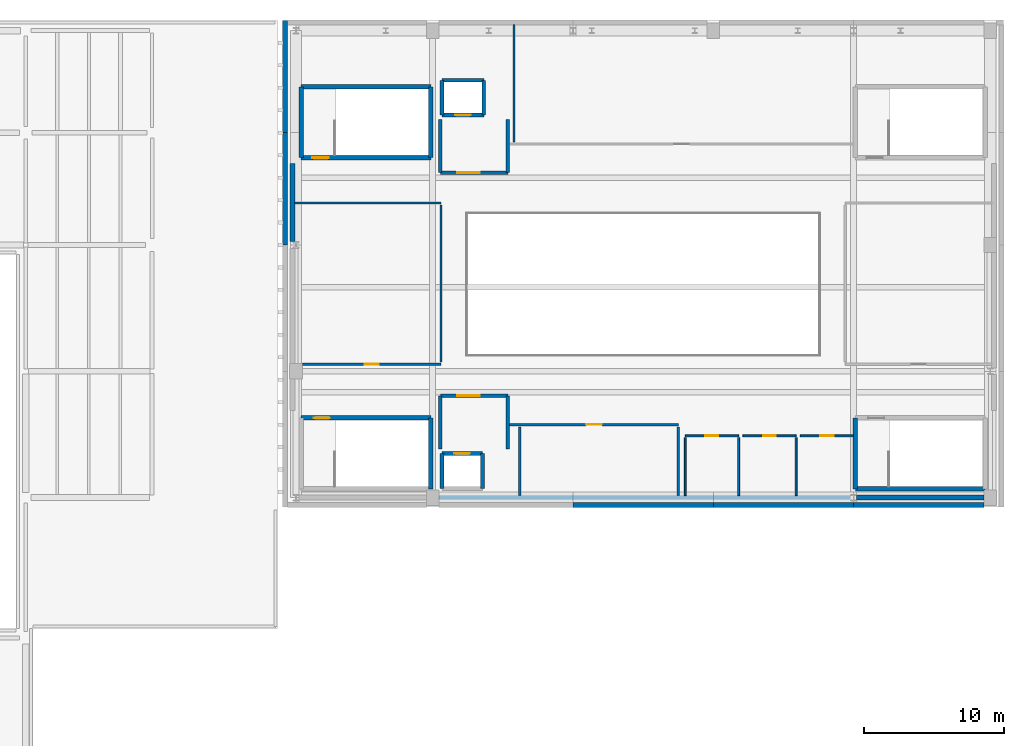
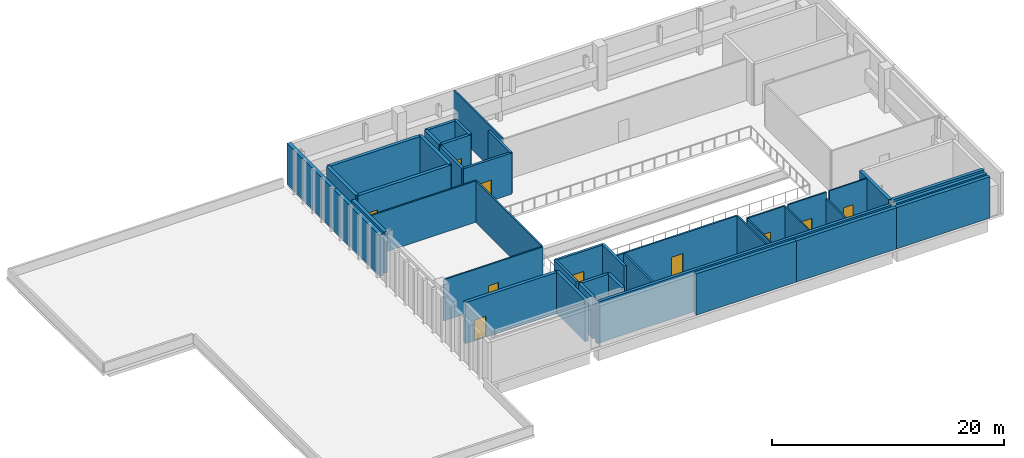
# One storey, part 6 of 8: 42 walls, 11 doors, 11 openings.
"""IFC4 building model written with IfcOpenShell, lengths in metres."""

from ifc_helpers import new_model, si_unit, direction, frame, frame_2d, origin, place, context, subcontext, project, spatial, rectangle, extrude, material, layer, layer_set, type_object, element, fill, save


model = new_model("IFC4")

# Units and contexts
model_context = context("Model", 3, precision=1e-05, world=origin(), true_north=direction((0.0, 1.0)))
body_context = subcontext(model_context, "Body", "Model", "MODEL_VIEW")
ifc_project = project(units=[si_unit("LENGTHUNIT", "METRE"), si_unit("AREAUNIT", "SQUARE_METRE"), si_unit("VOLUMEUNIT", "CUBIC_METRE"), si_unit("PLANEANGLEUNIT", "RADIAN"), si_unit("MASSUNIT", "GRAM", prefix="KILO")], contexts=[model_context])

# Site, building, storey
site_placement = place(None, origin())
site = spatial("IfcSite", under=ifc_project, at=site_placement, CompositionType="ELEMENT")
building_placement = place(site_placement, origin())
building = spatial("IfcBuilding", under=site, at=building_placement, Name="Trimount Lyric Opera House", CompositionType="ELEMENT")
storey_placement = place(building_placement, frame((0.0, 0.0, 29.60009765625)))
storey = spatial("IfcBuildingStorey", under=building, at=storey_placement, Name="L06", CompositionType="ELEMENT", Elevation=29.60009765625)

# Wall, opening, door
ifc_material_1 = material(Name="Moisture-Resistant Gypsum Board")
ifc_layer_1 = layer(ifc_material_1, 0.135009765625)
ifc_layer_set_1 = layer_set([ifc_layer_1], Name="WL-PT135")
wall_type_1 = type_object("IfcWallType", Name="WL-PT135", PredefinedType="PARTITIONING", material=ifc_layer_set_1)
wall_1_placement = place(storey_placement, frame((95.800048828125, 88.39990234375, 0.0), z_axis=(0.0, 0.0, 1.0), x_axis=(-1.0, 0.0, 0.0)))
wall_1 = element("IfcWall", 1, at=wall_1_placement, inside=storey, type_object=wall_type_1, Name="L06 L06 Male Restroom N partition", PredefinedType="PARTITIONING", context=body_context, shape_type="SweptSolid", body=[
    extrude(rectangle(XDim=3.800048828125, YDim=0.135009765625, at=frame_2d((1.89990234375, 0.0))), origin(), (0.0, 0.0, 1.0), 4.349853515625),
])
opening_1_placement = place(wall_1_placement, frame((1.43994140625, 0.0, 0.0)))
opening_1 = element("IfcOpeningElement", 2, at=opening_1_placement, cuts=wall_1, Name="Opening DT-WC1", PredefinedType="OPENING", context=body_context, shape_type="SweptSolid", body=[
    extrude(rectangle(XDim=0.919921875, YDim=2.10009765625, at=frame_2d((0.4599609375, 1.050048828125))), frame((0.0, 0.07763671875, 0.0), z_axis=(0.0, -1.0, 0.0), x_axis=(1.0, 0.0, 0.0)), (0.0, 0.0, 1.0), 0.155029296875),
])
ifc_material_2 = material(Name="Moisture-Resistant Solid-Core Laminate")
door_type_1 = type_object("IfcDoorType", Name="DT-WC1", OperationType="NOTDEFINED", PredefinedType="DOOR", material=ifc_material_2)
door_1_placement = place(opening_1_placement, origin())
door_1 = element("IfcDoor", 3, at=door_1_placement, inside=storey, type_object=door_type_1, Name="D-258", OperationType="SINGLE_SWING_RIGHT", OverallHeight=2.10009765625, OverallWidth=0.919921875, PredefinedType="DOOR", context=body_context, shape_type="SweptSolid", body=[
    extrude(rectangle(XDim=0.919921875, YDim=2.10009765625, at=frame_2d((0.4599609375, 1.050048828125))), frame((0.0, 0.02490234375, 0.0), z_axis=(0.0, -1.0, 0.0), x_axis=(1.0, 0.0, 0.0)), (0.0, 0.0, 1.0), 0.050048828125),
])
fill(opening_1, door_1)

# Walls
wall_2_placement = place(storey_placement, frame((92.0, 88.264892578125, 0.0), z_axis=(0.0, 0.0, 1.0), x_axis=(0.0, -1.0, 0.0)))
element("IfcWall", 4, at=wall_2_placement, inside=storey, type_object=wall_type_1, Name="L06 L06 Male Restroom W partition", PredefinedType="PARTITIONING", context=body_context, shape_type="SweptSolid", body=[
    extrude(rectangle(XDim=4.125, YDim=0.135009765625, at=frame_2d((2.0625, 0.0))), origin(), (0.0, 0.0, 1.0), 4.3798828125),
])
wall_3_placement = place(storey_placement, frame((95.800048828125, 84.139892578125, 0.0), z_axis=(0.0, 0.0, 1.0), x_axis=(0.0, 1.0, 0.0)))
element("IfcWall", 5, at=wall_3_placement, inside=storey, type_object=wall_type_1, Name="L06 L06 Male Restroom E partition", PredefinedType="PARTITIONING", context=body_context, shape_type="SweptSolid", body=[
    extrude(rectangle(XDim=4.125, YDim=0.135009765625, at=frame_2d((2.0625, 0.0))), origin(), (0.0, 0.0, 1.0), 4.349853515625),
])

# Wall, opening, door
wall_4_placement = place(storey_placement, frame((99.89990234375, 88.39990234375, 0.0), z_axis=(0.0, 0.0, 1.0), x_axis=(-1.0, 0.0, 0.0)))
wall_4 = element("IfcWall", 6, at=wall_4_placement, inside=storey, type_object=wall_type_1, Name="L06 L06 Female Restroom N partition", PredefinedType="PARTITIONING", context=body_context, shape_type="SweptSolid", body=[
    extrude(rectangle(XDim=3.7998046875, YDim=0.135009765625, at=frame_2d((1.89990234375, 0.0))), origin(), (0.0, 0.0, 1.0), 4.349853515625),
])
opening_2_placement = place(wall_4_placement, frame((1.43994140625, 0.0, 0.0)))
opening_2 = element("IfcOpeningElement", 7, at=opening_2_placement, cuts=wall_4, Name="Opening DT-WC1", PredefinedType="OPENING", context=body_context, shape_type="SweptSolid", body=[
    extrude(rectangle(XDim=0.919921875, YDim=2.10009765625, at=frame_2d((0.4599609375, 1.050048828125))), frame((0.0, 0.07763671875, 0.0), z_axis=(0.0, -1.0, 0.0), x_axis=(1.0, 0.0, 0.0)), (0.0, 0.0, 1.0), 0.155029296875),
])
door_2_placement = place(opening_2_placement, origin())
door_2 = element("IfcDoor", 8, at=door_2_placement, inside=storey, type_object=door_type_1, Name="D-259", OperationType="SINGLE_SWING_LEFT", OverallHeight=2.10009765625, OverallWidth=0.919921875, PredefinedType="DOOR", context=body_context, shape_type="SweptSolid", body=[
    extrude(rectangle(XDim=0.919921875, YDim=2.10009765625, at=frame_2d((0.4599609375, 1.050048828125))), frame((0.0, 0.02490234375, 0.0), z_axis=(0.0, -1.0, 0.0), x_axis=(1.0, 0.0, 0.0)), (0.0, 0.0, 1.0), 0.050048828125),
])
fill(opening_2, door_2)

# Wall
wall_5_placement = place(storey_placement, frame((99.89990234375, 84.139892578125, 0.0), z_axis=(0.0, 0.0, 1.0), x_axis=(0.0, 1.0, 0.0)))
element("IfcWall", 9, at=wall_5_placement, inside=storey, type_object=wall_type_1, Name="L06 L06 Female Restroom E partition", PredefinedType="PARTITIONING", context=body_context, shape_type="SweptSolid", body=[
    extrude(rectangle(XDim=4.125, YDim=0.135009765625, at=frame_2d((2.0625, 0.0))), origin(), (0.0, 0.0, 1.0), 3.722900390625),
])

# Wall, opening, door
wall_6_placement = place(storey_placement, frame((103.985107421875, 88.39990234375, 0.0), z_axis=(0.0, 0.0, 1.0), x_axis=(-1.0, 0.0, 0.0)))
wall_6 = element("IfcWall", 10, at=wall_6_placement, inside=storey, type_object=wall_type_1, Name="L06 L06 Accessible WC N partition", PredefinedType="PARTITIONING", context=body_context, shape_type="SweptSolid", body=[
    extrude(rectangle(XDim=3.78515625, YDim=0.135009765625, at=frame_2d((1.892578125, 0.0))), origin(), (0.0, 0.0, 1.0), 4.3798828125),
])
opening_3_placement = place(wall_6_placement, frame((1.402587890625, 0.0, 0.0)))
opening_3 = element("IfcOpeningElement", 11, at=opening_3_placement, cuts=wall_6, Name="Opening DT-WC2", PredefinedType="OPENING", context=body_context, shape_type="SweptSolid", body=[
    extrude(rectangle(XDim=0.97998046875, YDim=2.10009765625, at=frame_2d((0.489990234375, 1.050048828125))), frame((0.0, 0.07763671875, 0.0), z_axis=(0.0, -1.0, 0.0), x_axis=(1.0, 0.0, 0.0)), (0.0, 0.0, 1.0), 0.155029296875),
])
ifc_material_3 = material(Name="Moisture-Resistant Solid-Core Laminate")
door_type_2 = type_object("IfcDoorType", Name="DT-WC2", OperationType="NOTDEFINED", PredefinedType="DOOR", material=ifc_material_3)
door_3_placement = place(opening_3_placement, origin())
door_3 = element("IfcDoor", 12, at=door_3_placement, inside=storey, type_object=door_type_2, Name="D-260", OperationType="SINGLE_SWING_RIGHT", OverallHeight=2.10009765625, OverallWidth=0.97998046875, PredefinedType="DOOR", context=body_context, shape_type="SweptSolid", body=[
    extrude(rectangle(XDim=0.97998046875, YDim=2.10009765625, at=frame_2d((0.489990234375, 1.050048828125))), frame((0.0, 0.02490234375, 0.0), z_axis=(0.0, -1.0, 0.0), x_axis=(1.0, 0.0, 0.0)), (0.0, 0.0, 1.0), 0.050048828125),
])
fill(opening_3, door_3)

ifc_material_4 = material(Name="Fire-Rated Gypsum Board Partition")
ifc_layer_2 = layer(ifc_material_4, 0.14990234375)
ifc_layer_set_2 = layer_set([ifc_layer_2], Name="WL-PT150")
wall_type_2 = type_object("IfcWallType", Name="WL-PT150", PredefinedType="PARTITIONING", material=ifc_layer_set_2)
wall_7_placement = place(storey_placement, frame((64.7099609375, 93.5, 0.0), z_axis=(0.0, 0.0, 1.0), x_axis=(1.0, 0.0, 0.0)))
wall_7 = element("IfcWall", 13, at=wall_7_placement, inside=storey, type_object=wall_type_2, Name="L06 Walkable Stage Gridiron West S partition", PredefinedType="PARTITIONING", context=body_context, shape_type="SweptSolid", body=[
    extrude(rectangle(XDim=9.89013671875, YDim=0.14990234375, at=frame_2d((4.945068359375, 0.0))), origin(), (0.0, 0.0, 1.0), 4.349853515625),
])
opening_4_placement = place(wall_7_placement, frame((4.445068359375, 0.0, 0.0)))
opening_4 = element("IfcOpeningElement", 14, at=opening_4_placement, cuts=wall_7, Name="Opening DT-RM1", PredefinedType="OPENING", context=body_context, shape_type="SweptSolid", body=[
    extrude(rectangle(XDim=1.0, YDim=2.14990234375, at=frame_2d((0.5, 1.074951171875))), frame((0.0, 0.0849609375, 0.0), z_axis=(0.0, -1.0, 0.0), x_axis=(1.0, 0.0, 0.0)), (0.0, 0.0, 1.0), 0.169921875),
])
ifc_material_5 = material(Name="Solid Core White Oak")
door_type_3 = type_object("IfcDoorType", Name="DT-RM1", OperationType="NOTDEFINED", PredefinedType="DOOR", material=ifc_material_5)
door_4_placement = place(opening_4_placement, origin())
door_4 = element("IfcDoor", 15, at=door_4_placement, inside=storey, type_object=door_type_3, Name="D-254", OperationType="SINGLE_SWING_RIGHT", OverallHeight=2.14990234375, OverallWidth=1.0, PredefinedType="DOOR", context=body_context, shape_type="SweptSolid", body=[
    extrude(rectangle(XDim=1.0, YDim=2.14990234375, at=frame_2d((0.5, 1.074951171875))), frame((0.0, 0.02490234375, 0.0), z_axis=(0.0, -1.0, 0.0), x_axis=(1.0, 0.0, 0.0)), (0.0, 0.0, 1.0), 0.050048828125),
])
fill(opening_4, door_4)

# Walls
wall_8_placement = place(storey_placement, frame((74.60009765625, 105.0, 0.0), z_axis=(0.0, 0.0, 1.0), x_axis=(-1.0, 0.0, 0.0)))
element("IfcWall", 16, at=wall_8_placement, inside=storey, type_object=wall_type_2, Name="L06 Walkable Stage Gridiron West N partition", PredefinedType="PARTITIONING", context=body_context, shape_type="SweptSolid", body=[
    extrude(rectangle(XDim=10.460205078125, YDim=0.14990234375, at=frame_2d((5.22998046875, 0.0))), origin(), (0.0, 0.0, 1.0), 4.349853515625),
])
wall_9_placement = place(storey_placement, frame((74.60009765625, 93.64990234375, 0.0), z_axis=(0.0, 0.0, 1.0), x_axis=(0.0, 1.0, 0.0)))
element("IfcWall", 17, at=wall_9_placement, inside=storey, type_object=wall_type_2, Name="L06 Walkable Stage Gridiron West E partition", PredefinedType="PARTITIONING", context=body_context, shape_type="SweptSolid", body=[
    extrude(rectangle(XDim=11.2001953125, YDim=0.14990234375, at=frame_2d((5.60009765625, 0.0))), origin(), (0.0, 0.0, 1.0), 4.3798828125),
])
wall_10_placement = place(storey_placement, frame((79.800048828125, 117.719970703125, 0.0), z_axis=(0.0, 0.0, 1.0), x_axis=(0.0, -1.0, 0.0)))
element("IfcWall", 18, at=wall_10_placement, inside=storey, type_object=wall_type_2, Name="L06 Rigging Crew & Cue Control Room W partition", PredefinedType="PARTITIONING", context=body_context, shape_type="SweptSolid", body=[
    extrude(rectangle(XDim=8.369873046875, YDim=0.14990234375, at=frame_2d((4.18505859375, 0.0))), origin(), (0.0, 0.0, 1.0), 4.349853515625),
])

# Wall, opening, door
ifc_material_6 = material(Name="Acoustic Double-Stud Gypsum Board")
ifc_layer_3 = layer(ifc_material_6, 0.1650390625)
ifc_layer_set_3 = layer_set([ifc_layer_3], Name="WL-PT165")
wall_type_3 = type_object("IfcWallType", Name="WL-PT165", PredefinedType="PARTITIONING", material=ifc_layer_set_3)
wall_11_placement = place(storey_placement, frame((91.5, 89.199951171875, 0.0), z_axis=(0.0, 0.0, 1.0), x_axis=(-1.0, 0.0, 0.0)))
wall_11 = element("IfcWall", 19, at=wall_11_placement, inside=storey, type_object=wall_type_3, Name="L06 Fly-Tower Acoustic Smoke Plenum N partition", PredefinedType="PARTITIONING", context=body_context, shape_type="SweptSolid", body=[
    extrude(rectangle(XDim=12.010009765625, YDim=0.1650390625, at=frame_2d((6.0048828125, 0.0))), origin(), (0.0, 0.0, 1.0), 4.349853515625),
])
opening_5_placement = place(wall_11_placement, frame((5.445068359375, 0.0, 0.0)))
opening_5 = element("IfcOpeningElement", 20, at=opening_5_placement, cuts=wall_11, Name="Opening DT-AC2", PredefinedType="OPENING", context=body_context, shape_type="SweptSolid", body=[
    extrude(rectangle(XDim=1.1201171875, YDim=2.25, at=frame_2d((0.56005859375, 1.125))), frame((0.0, 0.092529296875, 0.0), z_axis=(0.0, -1.0, 0.0), x_axis=(1.0, 0.0, 0.0)), (0.0, 0.0, 1.0), 0.18505859375),
])
ifc_material_7 = material(Name="Acoustic Steel-Core Timber", Category="steel")
door_type_4 = type_object("IfcDoorType", Name="DT-AC2", OperationType="NOTDEFINED", PredefinedType="DOOR", material=ifc_material_7)
door_5_placement = place(opening_5_placement, origin())
door_5 = element("IfcDoor", 21, at=door_5_placement, inside=storey, type_object=door_type_4, Name="D-257", OperationType="SINGLE_SWING_LEFT", OverallHeight=2.25, OverallWidth=1.1201171875, PredefinedType="DOOR", context=body_context, shape_type="SweptSolid", body=[
    extrude(rectangle(XDim=1.1201171875, YDim=2.25, at=frame_2d((0.56005859375, 1.125))), frame((0.0, 0.02490234375, 0.0), z_axis=(0.0, -1.0, 0.0), x_axis=(1.0, 0.0, 0.0)), (0.0, 0.0, 1.0), 0.050048828125),
])
fill(opening_5, door_5)

# Walls
wall_12_placement = place(storey_placement, frame((80.199951171875, 89.034912109375, 0.0), z_axis=(0.0, 0.0, 1.0), x_axis=(0.0, -1.0, 0.0)))
element("IfcWall", 22, at=wall_12_placement, inside=storey, type_object=wall_type_3, Name="L06 Fly-Tower Acoustic Smoke Plenum W partition", PredefinedType="PARTITIONING", context=body_context, shape_type="SweptSolid", body=[
    extrude(rectangle(XDim=4.89501953125, YDim=0.1650390625, at=frame_2d((2.447509765625, 0.0))), origin(), (0.0, 0.0, 1.0), 4.349853515625),
])
wall_13_placement = place(storey_placement, frame((91.5, 84.139892578125, 0.0), z_axis=(0.0, 0.0, 1.0), x_axis=(0.0, 1.0, 0.0)))
element("IfcWall", 23, at=wall_13_placement, inside=storey, type_object=wall_type_3, Name="L06 Fly-Tower Acoustic Smoke Plenum E partition", PredefinedType="PARTITIONING", context=body_context, shape_type="SweptSolid", body=[
    extrude(rectangle(XDim=4.89501953125, YDim=0.1650390625, at=frame_2d((2.447509765625, 0.0))), origin(), (0.0, 0.0, 1.0), 4.3798828125),
])

# Wall, opening, door
ifc_material_8 = material(Name="Concrete C40/50", Category="concrete")
ifc_layer_4 = layer(ifc_material_8, 0.280029296875)
ifc_layer_set_4 = layer_set([ifc_layer_4], Name="WL-SH280")
wall_type_4 = type_object("IfcWallType", Name="WL-SH280", PredefinedType="SHEAR", material=ifc_layer_set_4)
wall_14_placement = place(storey_placement, frame((77.5400390625, 87.139892578125, 0.0), z_axis=(0.0, 0.0, 1.0), x_axis=(-1.0, 0.0, 0.0)))
wall_14 = element("IfcWall", 24, at=wall_14_placement, inside=storey, type_object=wall_type_4, Name="Lift LF-01 L06 north shaft wall", PredefinedType="SHEAR", context=body_context, shape_type="SweptSolid", body=[
    extrude(rectangle(XDim=2.880126953125, YDim=0.280029296875, at=frame_2d((1.43994140625, 0.0))), origin(), (0.0, 0.0, 1.0), 4.3798828125),
])
opening_6_placement = place(wall_14_placement, frame((0.889892578125, 0.0, 0.0)))
opening_6 = element("IfcOpeningElement", 25, at=opening_6_placement, cuts=wall_14, Name="Opening DT-LD1", PredefinedType="OPENING", context=body_context, shape_type="SweptSolid", body=[
    extrude(rectangle(XDim=1.10009765625, YDim=2.199951171875, at=frame_2d((0.550048828125, 1.10009765625))), frame((0.0, 0.14990234375, 0.0), z_axis=(0.0, -1.0, 0.0), x_axis=(1.0, 0.0, 0.0)), (0.0, 0.0, 1.0), 0.300048828125),
])
ifc_material_9 = material(Name="Brushed Stainless Steel", Category="steel")
door_type_5 = type_object("IfcDoorType", Name="DT-LD1", OperationType="SLIDING_TO_LEFT", PredefinedType="DOOR", material=ifc_material_9)
door_6_placement = place(opening_6_placement, origin())
door_6 = element("IfcDoor", 26, at=door_6_placement, inside=storey, type_object=door_type_5, Name="D-071", OperationType="SLIDING_TO_LEFT", OverallHeight=2.199951171875, OverallWidth=1.10009765625, PredefinedType="DOOR", context=body_context, shape_type="SweptSolid", body=[
    extrude(rectangle(XDim=1.10009765625, YDim=2.199951171875, at=frame_2d((0.550048828125, 1.10009765625))), frame((0.0, 0.02490234375, 0.0), z_axis=(0.0, -1.0, 0.0), x_axis=(1.0, 0.0, 0.0)), (0.0, 0.0, 1.0), 0.050048828125),
])
fill(opening_6, door_6)

# Walls
for number, where, z_axis, x_axis, name in (
    (27, (74.659912109375, 87.139892578125, 0.0), (0.0, 0.0, 1.0), (0.0, -1.0, 0.0), "Lift LF-01 L06 west shaft wall"),
    (28, (77.5400390625, 84.659912109375, 0.0), (0.0, 0.0, 1.0), (0.0, 1.0, 0.0), "Lift LF-01 L06 east shaft wall"),
):
    element("IfcWall", number, at=place(storey_placement, frame(where, z_axis=z_axis, x_axis=x_axis)), inside=storey, type_object=wall_type_4, Name=name, PredefinedType="SHEAR", context=body_context, shape_type="SweptSolid", body=[
        extrude(rectangle(XDim=2.47998046875, YDim=0.280029296875, at=frame_2d((1.239990234375, 0.0))), origin(), (0.0, 0.0, 1.0), 4.3798828125),
    ])

# Wall, opening, door
wall_15_placement = place(storey_placement, frame((74.659912109375, 111.260009765625, 0.0), z_axis=(0.0, 0.0, 1.0), x_axis=(1.0, 0.0, 0.0)))
wall_15 = element("IfcWall", 29, at=wall_15_placement, inside=storey, type_object=wall_type_4, Name="Lift LF-05 L06 south shaft wall", PredefinedType="SHEAR", context=body_context, shape_type="SweptSolid", body=[
    extrude(rectangle(XDim=2.97998046875, YDim=0.280029296875, at=frame_2d((1.489990234375, 0.0))), origin(), (0.0, 0.0, 1.0), 4.3798828125),
])
opening_7_placement = place(wall_15_placement, frame((0.93994140625, 0.0, 0.0)))
opening_7 = element("IfcOpeningElement", 30, at=opening_7_placement, cuts=wall_15, Name="Opening DT-LD1", PredefinedType="OPENING", context=body_context, shape_type="SweptSolid", body=[
    extrude(rectangle(XDim=1.10009765625, YDim=2.199951171875, at=frame_2d((0.550048828125, 1.10009765625))), frame((0.0, 0.14990234375, 0.0), z_axis=(0.0, -1.0, 0.0), x_axis=(1.0, 0.0, 0.0)), (0.0, 0.0, 1.0), 0.300048828125),
])
door_7_placement = place(opening_7_placement, origin())
door_7 = element("IfcDoor", 31, at=door_7_placement, inside=storey, type_object=door_type_5, Name="D-105", OperationType="SLIDING_TO_LEFT", OverallHeight=2.199951171875, OverallWidth=1.10009765625, PredefinedType="DOOR", context=body_context, shape_type="SweptSolid", body=[
    extrude(rectangle(XDim=1.10009765625, YDim=2.199951171875, at=frame_2d((0.550048828125, 1.10009765625))), frame((0.0, 0.02490234375, 0.0), z_axis=(0.0, -1.0, 0.0), x_axis=(1.0, 0.0, 0.0)), (0.0, 0.0, 1.0), 0.050048828125),
])
fill(opening_7, door_7)

# Walls
wall_16_placement = place(storey_placement, frame((77.639892578125, 113.739990234375, 0.0), z_axis=(0.0, 0.0, 1.0), x_axis=(-1.0, 0.0, 0.0)))
element("IfcWall", 32, at=wall_16_placement, inside=storey, type_object=wall_type_4, Name="Lift LF-05 L06 north shaft wall", PredefinedType="SHEAR", context=body_context, shape_type="SweptSolid", body=[
    extrude(rectangle(XDim=2.97998046875, YDim=0.280029296875, at=frame_2d((1.489990234375, 0.0))), origin(), (0.0, 0.0, 1.0), 4.3798828125),
])
for number, where, z_axis, x_axis, name in (
    (33, (74.659912109375, 113.739990234375, 0.0), (0.0, 0.0, 1.0), (0.0, -1.0, 0.0), "Lift LF-05 L06 west shaft wall"),
    (34, (77.639892578125, 111.260009765625, 0.0), (0.0, 0.0, 1.0), (0.0, 1.0, 0.0), "Lift LF-05 L06 east shaft wall"),
):
    element("IfcWall", number, at=place(storey_placement, frame(where, z_axis=z_axis, x_axis=x_axis)), inside=storey, type_object=wall_type_4, Name=name, PredefinedType="SHEAR", context=body_context, shape_type="SweptSolid", body=[
        extrude(rectangle(XDim=2.47998046875, YDim=0.280029296875, at=frame_2d((1.239990234375, 0.0))), origin(), (0.0, 0.0, 1.0), 4.3798828125),
    ])
ifc_material_10 = material(Name="Concrete C40/50", Category="concrete")
ifc_layer_5 = layer(ifc_material_10, 0.300048828125)
ifc_layer_set_5 = layer_set([ifc_layer_5], Name="WL-SH300")
wall_type_5 = type_object("IfcWallType", Name="WL-SH300", PredefinedType="SHEAR", material=ifc_layer_set_5)
wall_17_placement = place(storey_placement, frame((74.449951171875, 84.0, 0.0), z_axis=(0.0, 0.0, 1.0), x_axis=(1.0, 0.0, 0.0)))
element("IfcWall", 35, at=wall_17_placement, inside=storey, type_object=wall_type_5, Name="L06 proscenium upper fly-tower wall", PredefinedType="SHEAR", context=body_context, shape_type="SweptSolid", body=[
    extrude(rectangle(XDim=29.339111328125, YDim=0.300048828125, at=frame_2d((14.66943359375, 0.0))), origin(), (0.0, 0.0, 1.0), 4.349853515625),
])

# Wall, opening, door
ifc_material_11 = material(Name="Concrete C40/50", Category="concrete")
ifc_layer_6 = layer(ifc_material_11, 0.320068359375)
ifc_layer_set_6 = layer_set([ifc_layer_6], Name="WL-SH320")
wall_type_6 = type_object("IfcWallType", Name="WL-SH320", PredefinedType="SHEAR", material=ifc_layer_set_6)
wall_18_placement = place(storey_placement, frame((64.625, 108.22509765625, 0.0), z_axis=(0.0, 0.0, 1.0), x_axis=(1.0, 0.0, 0.0)))
wall_18 = element("IfcWall", 36, at=wall_18_placement, inside=storey, type_object=wall_type_6, Name="K1 L06 south shaft wall", PredefinedType="SHEAR", context=body_context, shape_type="SweptSolid", body=[
    extrude(rectangle(XDim=9.25, YDim=0.320068359375, at=frame_2d((4.625, 0.0))), origin(), (0.0, 0.0, 1.0), 4.349853515625),
])
opening_8_placement = place(wall_18_placement, frame((0.800048828125, 0.0, 0.0)))
opening_8 = element("IfcOpeningElement", 37, at=opening_8_placement, cuts=wall_18, Name="Opening DT-ST1", PredefinedType="OPENING", context=body_context, shape_type="SweptSolid", body=[
    extrude(rectangle(XDim=1.14990234375, YDim=2.199951171875, at=frame_2d((0.574951171875, 1.10009765625))), frame((0.0, 0.169921875, 0.0), z_axis=(0.0, -1.0, 0.0), x_axis=(1.0, 0.0, 0.0)), (0.0, 0.0, 1.0), 0.340087890625),
])
ifc_material_12 = material(Name="Fire-Rated Hollow Steel", Category="steel")
door_type_6 = type_object("IfcDoorType", Name="DT-ST1", OperationType="NOTDEFINED", PredefinedType="DOOR", material=ifc_material_12)
door_8_placement = place(opening_8_placement, origin())
door_8 = element("IfcDoor", 38, at=door_8_placement, inside=storey, type_object=door_type_6, Name="D-014", OperationType="SINGLE_SWING_RIGHT", OverallHeight=2.199951171875, OverallWidth=1.14990234375, PredefinedType="DOOR", context=body_context, shape_type="SweptSolid", body=[
    extrude(rectangle(XDim=1.14990234375, YDim=2.199951171875, at=frame_2d((0.574951171875, 1.10009765625))), frame((0.0, 0.02490234375, 0.0), z_axis=(0.0, -1.0, 0.0), x_axis=(1.0, 0.0, 0.0)), (0.0, 0.0, 1.0), 0.050048828125),
])
fill(opening_8, door_8)

# Walls
wall_19_placement = place(storey_placement, frame((73.875, 113.27490234375, 0.0), z_axis=(0.0, 0.0, 1.0), x_axis=(-1.0, 0.0, 0.0)))
element("IfcWall", 39, at=wall_19_placement, inside=storey, type_object=wall_type_6, Name="K1 L06 north shaft wall", PredefinedType="SHEAR", context=body_context, shape_type="SweptSolid", body=[
    extrude(rectangle(XDim=9.25, YDim=0.320068359375, at=frame_2d((4.625, 0.0))), origin(), (0.0, 0.0, 1.0), 4.349853515625),
])
wall_20_placement = place(storey_placement, frame((64.625, 113.27490234375, 0.0), z_axis=(0.0, 0.0, 1.0), x_axis=(0.0, -1.0, 0.0)))
element("IfcWall", 40, at=wall_20_placement, inside=storey, type_object=wall_type_6, Name="K1 L06 west shaft wall", PredefinedType="SHEAR", context=body_context, shape_type="SweptSolid", body=[
    extrude(rectangle(XDim=5.0498046875, YDim=0.320068359375, at=frame_2d((2.52490234375, 0.0))), origin(), (0.0, 0.0, 1.0), 4.349853515625),
])
wall_21_placement = place(storey_placement, frame((73.875, 108.22509765625, 0.0), z_axis=(0.0, 0.0, 1.0), x_axis=(0.0, 1.0, 0.0)))
element("IfcWall", 41, at=wall_21_placement, inside=storey, type_object=wall_type_6, Name="K1 L06 east shaft wall", PredefinedType="SHEAR", context=body_context, shape_type="SweptSolid", body=[
    extrude(rectangle(XDim=5.0498046875, YDim=0.320068359375, at=frame_2d((2.52490234375, 0.0))), origin(), (0.0, 0.0, 1.0), 4.3798828125),
])

# Wall, opening, door
wall_22_placement = place(storey_placement, frame((73.875, 89.675048828125, 0.0), z_axis=(0.0, 0.0, 1.0), x_axis=(-1.0, 0.0, 0.0)))
wall_22 = element("IfcWall", 42, at=wall_22_placement, inside=storey, type_object=wall_type_6, Name="K3 L06 north shaft wall", PredefinedType="SHEAR", context=body_context, shape_type="SweptSolid", body=[
    extrude(rectangle(XDim=9.25, YDim=0.320068359375, at=frame_2d((4.625, 0.0))), origin(), (0.0, 0.0, 1.0), 4.349853515625),
])
opening_9_placement = place(wall_22_placement, frame((7.199951171875, 0.0, 0.0)))
opening_9 = element("IfcOpeningElement", 43, at=opening_9_placement, cuts=wall_22, Name="Opening DT-ST1", PredefinedType="OPENING", context=body_context, shape_type="SweptSolid", body=[
    extrude(rectangle(XDim=1.14990234375, YDim=2.199951171875, at=frame_2d((0.574951171875, 1.10009765625))), frame((0.0, 0.169921875, 0.0), z_axis=(0.0, -1.0, 0.0), x_axis=(1.0, 0.0, 0.0)), (0.0, 0.0, 1.0), 0.340087890625),
])
door_9_placement = place(opening_9_placement, origin())
door_9 = element("IfcDoor", 44, at=door_9_placement, inside=storey, type_object=door_type_6, Name="D-030", OperationType="SINGLE_SWING_RIGHT", OverallHeight=2.199951171875, OverallWidth=1.14990234375, PredefinedType="DOOR", context=body_context, shape_type="SweptSolid", body=[
    extrude(rectangle(XDim=1.14990234375, YDim=2.199951171875, at=frame_2d((0.574951171875, 1.10009765625))), frame((0.0, 0.02490234375, 0.0), z_axis=(0.0, -1.0, 0.0), x_axis=(1.0, 0.0, 0.0)), (0.0, 0.0, 1.0), 0.050048828125),
])
fill(opening_9, door_9)

# Walls
wall_23_placement = place(storey_placement, frame((73.875, 84.625, 0.0), z_axis=(0.0, 0.0, 1.0), x_axis=(0.0, 1.0, 0.0)))
element("IfcWall", 45, at=wall_23_placement, inside=storey, type_object=wall_type_6, Name="K3 L06 east shaft wall", PredefinedType="SHEAR", context=body_context, shape_type="SweptSolid", body=[
    extrude(rectangle(XDim=5.050048828125, YDim=0.320068359375, at=frame_2d((2.52490234375, 0.0))), origin(), (0.0, 0.0, 1.0), 4.3798828125),
])
wall_24_placement = place(storey_placement, frame((104.125, 84.625, 0.0), z_axis=(0.0, 0.0, 1.0), x_axis=(1.0, 0.0, 0.0)))
element("IfcWall", 46, at=wall_24_placement, inside=storey, type_object=wall_type_6, Name="K4 L06 south shaft wall", PredefinedType="SHEAR", context=body_context, shape_type="SweptSolid", body=[
    extrude(rectangle(XDim=9.25, YDim=0.320068359375, at=frame_2d((4.625, 0.0))), origin(), (0.0, 0.0, 1.0), 4.349853515625),
])
wall_25_placement = place(storey_placement, frame((104.125, 89.675048828125, 0.0), z_axis=(0.0, 0.0, 1.0), x_axis=(0.0, -1.0, 0.0)))
element("IfcWall", 47, at=wall_25_placement, inside=storey, type_object=wall_type_6, Name="K4 L06 west shaft wall", PredefinedType="SHEAR", context=body_context, shape_type="SweptSolid", body=[
    extrude(rectangle(XDim=5.050048828125, YDim=0.320068359375, at=frame_2d((2.52490234375, 0.0))), origin(), (0.0, 0.0, 1.0), 4.3798828125),
])
ifc_material_13 = material(Name="Concrete C40/50", Category="concrete")
ifc_layer_7 = layer(ifc_material_13, 0.35009765625)
ifc_layer_set_7 = layer_set([ifc_layer_7], Name="WL-SH350")
wall_type_7 = type_object("IfcWallType", Name="WL-SH350", PredefinedType="SHEAR", material=ifc_layer_set_7)
wall_26_placement = place(storey_placement, frame((64.0, 102.232421875, 0.0), z_axis=(0.0, 0.0, 1.0), x_axis=(0.0, 1.0, 0.0)))
element("IfcWall", 48, at=wall_26_placement, inside=storey, type_object=wall_type_7, Name="L06 fly-tower west shear wall", PredefinedType="SHEAR", context=body_context, shape_type="SweptSolid", body=[
    extrude(rectangle(XDim=5.567626953125, YDim=0.35009765625, at=frame_2d((2.78369140625, 0.0))), origin(), (0.0, 0.0, 1.0), 4.349853515625),
])
wall_27_placement = place(storey_placement, frame((104.2109375, 84.0, 0.0), z_axis=(0.0, 0.0, 1.0), x_axis=(1.0, 0.0, 0.0)))
element("IfcWall", 49, at=wall_27_placement, inside=storey, type_object=wall_type_7, Name="L06 proscenium east wing wall", PredefinedType="SHEAR", context=body_context, shape_type="SweptSolid", body=[
    extrude(rectangle(XDim=9.0791015625, YDim=0.35009765625, at=frame_2d((4.53955078125, 0.0))), origin(), (0.0, 0.0, 1.0), 4.349853515625),
])
for number, where, z_axis, x_axis, name in (
    (50, (63.4599609375, 102.0, 0.0), (0.0, 0.0, 1.0), (0.0, 1.0, 0.0), "L06 exterior facade wall 357"),
    (51, (63.4599609375, 110.0, 0.0), (0.0, 0.0, 1.0), (0.0, 1.0, 0.0), "L06 exterior facade wall 358"),
):
    element("IfcWall", number, at=place(storey_placement, frame(where, z_axis=z_axis, x_axis=x_axis)), inside=storey, type_object=wall_type_7, Name=name, PredefinedType="SHEAR", context=body_context, shape_type="SweptSolid", body=[
        extrude(rectangle(XDim=8.0, YDim=0.35009765625, at=frame_2d((4.0, 0.0))), origin(), (0.0, 0.0, 1.0), 4.349853515625),
    ])
wall_28_placement = place(storey_placement, frame((113.2900390625, 83.4599609375, 0.0), z_axis=(0.0, 0.0, 1.0), x_axis=(-1.0, 0.0, 0.0)))
element("IfcWall", 52, at=wall_28_placement, inside=storey, type_object=wall_type_7, Name="L06 exterior facade wall 368", PredefinedType="SHEAR", context=body_context, shape_type="SweptSolid", body=[
    extrude(rectangle(XDim=9.2900390625, YDim=0.35009765625, at=frame_2d((4.64501953125, 0.0))), origin(), (0.0, 0.0, 1.0), 4.349853515625),
])
for number, where, z_axis, x_axis, name in (
    (53, (104.0, 83.4599609375, 0.0), (0.0, 0.0, 1.0), (-1.0, 0.0, 0.0), "L06 exterior facade wall 369"),
    (54, (94.0, 83.4599609375, 0.0), (0.0, 0.0, 1.0), (-1.0, 0.0, 0.0), "L06 exterior facade wall 370"),
):
    element("IfcWall", number, at=place(storey_placement, frame(where, z_axis=z_axis, x_axis=x_axis)), inside=storey, type_object=wall_type_7, Name=name, PredefinedType="SHEAR", context=body_context, shape_type="SweptSolid", body=[
        extrude(rectangle(XDim=10.0, YDim=0.35009765625, at=frame_2d((5.0, 0.0))), origin(), (0.0, 0.0, 1.0), 4.349853515625),
    ])

# Wall, opening, door
ifc_material_14 = material(Name="Concrete C35/45", Category="concrete")
ifc_layer_8 = layer(ifc_material_14, 0.239990234375)
ifc_layer_set_8 = layer_set([ifc_layer_8], Name="WL-SW240")
wall_type_8 = type_object("IfcWallType", Name="WL-SW240", PredefinedType="SOLIDWALL", material=ifc_layer_set_8)
wall_29_placement = place(storey_placement, frame((74.550048828125, 91.25, 0.0), z_axis=(0.0, 0.0, 1.0), x_axis=(1.0, 0.0, 0.0)))
wall_29 = element("IfcWall", 55, at=wall_29_placement, inside=storey, type_object=wall_type_8, Name="L06 firefighting lobby LF-01 entry wall", PredefinedType="SOLIDWALL", context=body_context, shape_type="SweptSolid", body=[
    extrude(rectangle(XDim=4.800048828125, YDim=0.239990234375, at=frame_2d((2.39990234375, 0.0))), origin(), (0.0, 0.0, 1.0), 4.349853515625),
])
opening_10_placement = place(wall_29_placement, frame((1.199951171875, 0.0, 0.0)))
opening_10 = element("IfcOpeningElement", 56, at=opening_10_placement, cuts=wall_29, Name="Opening DT-FF1", PredefinedType="OPENING", context=body_context, shape_type="SweptSolid", body=[
    extrude(rectangle(XDim=1.60009765625, YDim=2.199951171875, at=frame_2d((0.800048828125, 1.10009765625))), frame((0.0, 0.1298828125, 0.0), z_axis=(0.0, -1.0, 0.0), x_axis=(1.0, 0.0, 0.0)), (0.0, 0.0, 1.0), 0.260009765625),
])
ifc_material_15 = material(Name="Fire-Rated Hollow Steel", Category="steel")
door_type_7 = type_object("IfcDoorType", Name="DT-FF1", OperationType="DOUBLE_DOOR_SINGLE_SWING", PredefinedType="DOOR", material=ifc_material_15)
door_10_placement = place(opening_10_placement, origin())
door_10 = element("IfcDoor", 57, at=door_10_placement, inside=storey, type_object=door_type_7, Name="D-072", OperationType="DOUBLE_DOOR_SINGLE_SWING", OverallHeight=2.199951171875, OverallWidth=1.60009765625, PredefinedType="DOOR", context=body_context, shape_type="SweptSolid", body=[
    extrude(rectangle(XDim=1.60009765625, YDim=2.199951171875, at=frame_2d((0.800048828125, 1.10009765625))), frame((0.0, 0.02490234375, 0.0), z_axis=(0.0, -1.0, 0.0), x_axis=(1.0, 0.0, 0.0)), (0.0, 0.0, 1.0), 0.050048828125),
])
fill(opening_10, door_10)

# Walls
wall_30_placement = place(storey_placement, frame((74.550048828125, 91.25, 0.0), z_axis=(0.0, 0.0, 1.0), x_axis=(0.0, -1.0, 0.0)))
element("IfcWall", 58, at=wall_30_placement, inside=storey, type_object=wall_type_8, Name="L06 firefighting lobby LF-01 west wall", PredefinedType="SOLIDWALL", context=body_context, shape_type="SweptSolid", body=[
    extrude(rectangle(XDim=3.800048828125, YDim=0.239990234375, at=frame_2d((1.89990234375, 0.0))), origin(), (0.0, 0.0, 1.0), 4.3798828125),
])
wall_31_placement = place(storey_placement, frame((79.35009765625, 87.449951171875, 0.0), z_axis=(0.0, 0.0, 1.0), x_axis=(0.0, 1.0, 0.0)))
element("IfcWall", 59, at=wall_31_placement, inside=storey, type_object=wall_type_8, Name="L06 firefighting lobby LF-01 east wall", PredefinedType="SOLIDWALL", context=body_context, shape_type="SweptSolid", body=[
    extrude(rectangle(XDim=3.800048828125, YDim=0.239990234375, at=frame_2d((1.89990234375, 0.0))), origin(), (0.0, 0.0, 1.0), 4.349853515625),
])

# Wall, opening, door
wall_32_placement = place(storey_placement, frame((74.550048828125, 107.14990234375, 0.0), z_axis=(0.0, 0.0, 1.0), x_axis=(1.0, 0.0, 0.0)))
wall_32 = element("IfcWall", 60, at=wall_32_placement, inside=storey, type_object=wall_type_8, Name="L06 firefighting lobby LF-05 entry wall", PredefinedType="SOLIDWALL", context=body_context, shape_type="SweptSolid", body=[
    extrude(rectangle(XDim=4.800048828125, YDim=0.239990234375, at=frame_2d((2.39990234375, 0.0))), origin(), (0.0, 0.0, 1.0), 4.349853515625),
])
opening_11_placement = place(wall_32_placement, frame((1.199951171875, 0.0, 0.0)))
opening_11 = element("IfcOpeningElement", 61, at=opening_11_placement, cuts=wall_32, Name="Opening DT-FF1", PredefinedType="OPENING", context=body_context, shape_type="SweptSolid", body=[
    extrude(rectangle(XDim=1.60009765625, YDim=2.199951171875, at=frame_2d((0.800048828125, 1.10009765625))), frame((0.0, 0.1298828125, 0.0), z_axis=(0.0, -1.0, 0.0), x_axis=(1.0, 0.0, 0.0)), (0.0, 0.0, 1.0), 0.260009765625),
])
door_11_placement = place(opening_11_placement, origin())
door_11 = element("IfcDoor", 62, at=door_11_placement, inside=storey, type_object=door_type_7, Name="D-106", OperationType="DOUBLE_DOOR_SINGLE_SWING", OverallHeight=2.199951171875, OverallWidth=1.60009765625, PredefinedType="DOOR", context=body_context, shape_type="SweptSolid", body=[
    extrude(rectangle(XDim=1.60009765625, YDim=2.199951171875, at=frame_2d((0.800048828125, 1.10009765625))), frame((0.0, 0.02490234375, 0.0), z_axis=(0.0, -1.0, 0.0), x_axis=(1.0, 0.0, 0.0)), (0.0, 0.0, 1.0), 0.050048828125),
])
fill(opening_11, door_11)

# Walls
wall_33_placement = place(storey_placement, frame((74.550048828125, 110.949951171875, 0.0), z_axis=(0.0, 0.0, 1.0), x_axis=(0.0, -1.0, 0.0)))
element("IfcWall", 63, at=wall_33_placement, inside=storey, type_object=wall_type_8, Name="L06 firefighting lobby LF-05 west wall", PredefinedType="SOLIDWALL", context=body_context, shape_type="SweptSolid", body=[
    extrude(rectangle(XDim=3.800048828125, YDim=0.239990234375, at=frame_2d((1.89990234375, 0.0))), origin(), (0.0, 0.0, 1.0), 4.3798828125),
])
wall_34_placement = place(storey_placement, frame((79.35009765625, 107.14990234375, 0.0), z_axis=(0.0, 0.0, 1.0), x_axis=(0.0, 1.0, 0.0)))
element("IfcWall", 64, at=wall_34_placement, inside=storey, type_object=wall_type_8, Name="L06 firefighting lobby LF-05 east wall", PredefinedType="SOLIDWALL", context=body_context, shape_type="SweptSolid", body=[
    extrude(rectangle(XDim=3.800048828125, YDim=0.239990234375, at=frame_2d((1.89990234375, 0.0))), origin(), (0.0, 0.0, 1.0), 4.349853515625),
])

save(model, "model.ifc")
